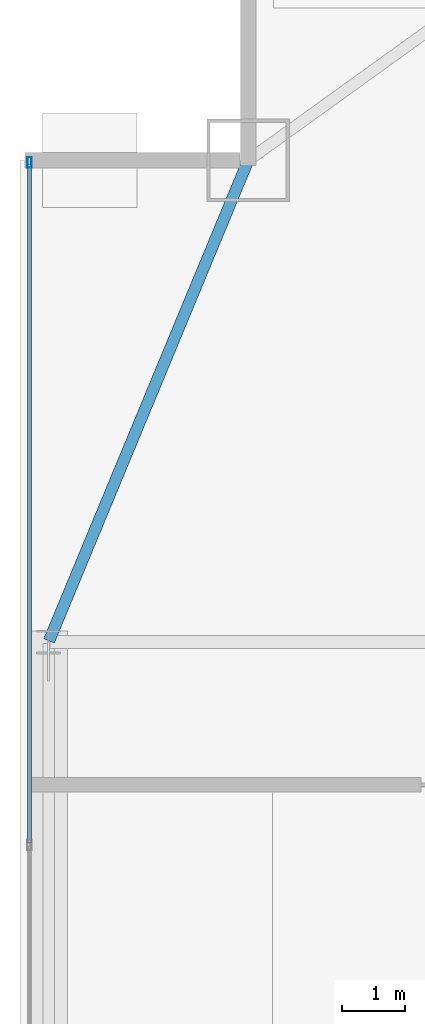
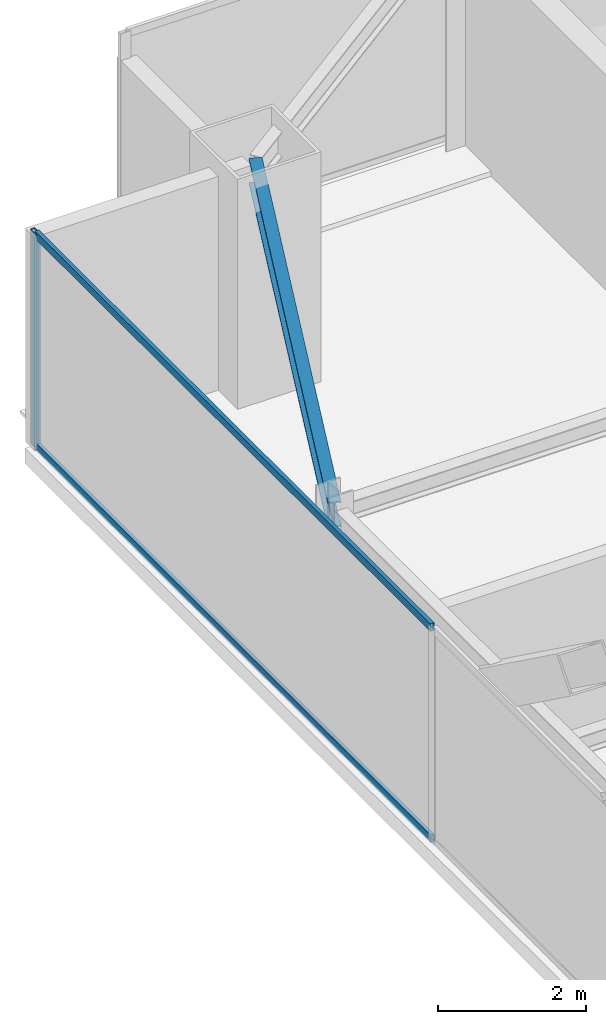
# One storey, part 20 of 33: 3 members, 1 beam, 1 element without a shape of its own.
"""IFC4 building model written with IfcOpenShell, lengths in metres."""

from ifc_helpers import new_model, si_unit, direction, frame, origin, origin_2d, place, context, subcontext, project, spatial, hollow_rectangle, i_section, extrude, source, transform, mapped, material, layer, layer_set, material_profile, profile_set, type_object, type_shapes, element, aggregate, save


model = new_model("IFC4")

# Units and contexts
model_context = context("Model", 3, precision=1e-05, world=origin(), true_north=direction((0.0, 1.0)))
body_context = subcontext(model_context, "Body", "Model", "MODEL_VIEW")
ifc_project = project(units=[si_unit("LENGTHUNIT", "METRE"), si_unit("AREAUNIT", "SQUARE_METRE"), si_unit("VOLUMEUNIT", "CUBIC_METRE"), si_unit("PLANEANGLEUNIT", "RADIAN"), si_unit("MASSUNIT", "GRAM", prefix="KILO")], contexts=[model_context])

# Site, building, storey
site_placement = place(None, origin())
site = spatial("IfcSite", under=ifc_project, at=site_placement, CompositionType="ELEMENT")
building_placement = place(site_placement, origin())
building = spatial("IfcBuilding", under=site, at=building_placement, Name="Varnel Quay Broadcast Tower", CompositionType="ELEMENT")
storey_placement = place(building_placement, frame((0.0, 0.0, 145.800048828125)))
storey = spatial("IfcBuildingStorey", under=building, at=storey_placement, Name="L35", CompositionType="ELEMENT", Elevation=145.800048828125)

# Beam
ifc_material_1 = material(Name="Structural Steel CSA G40.21 350W", Category="steel")
ifc_material_profile_1 = material_profile(ifc_material_1, i_section(OverallWidth=0.180908203125, OverallDepth=0.4169921875, WebThickness=0.010986328125, FlangeThickness=0.018310546875, FilletRadius=0.011962890625, at=origin_2d()), Name="W410X85")
ifc_profile_set_1 = profile_set([ifc_material_profile_1], Name="Structural Steel CSA G40.21 350W")
beam_type = type_object("IfcBeamType", Name="Beam_W410X85", PredefinedType="SPANDREL", material=ifc_profile_set_1)
shared_shape_1 = source(origin(), body_context, "Body", "SweptSolid", [
    extrude(i_section(OverallWidth=0.180908203125, OverallDepth=0.4169921875, WebThickness=0.010986328125, FlangeThickness=0.018310546875, FilletRadius=0.011962890625, at=origin_2d()), origin(), (0.0, 0.0, 1.0), 8.186767578125),
])
type_shapes(beam_type, [shared_shape_1])
beam_placement = place(storey_placement, frame((7.457763671875, 35.618408203125, 3.341552734375), z_axis=(0.382874132092, 0.923800519038, 0.0), x_axis=(-0.923800519038, 0.382874132092, 0.0)))
element("IfcBeam", 1, at=beam_placement, inside=storey, type_object=beam_type, Name="L35 West Spandrel TC-W3-MC-NW", PredefinedType="SPANDREL", context=body_context, shape_type="MappedRepresentation", body=[
    mapped(shared_shape_1, transform((0.0, 0.0, 0.0), x_axis=(1.0, 0.0, 0.0), y_axis=(0.0, 1.0, 0.0), z_axis=(0.0, 0.0, 1.0), scale=1.0)),
])

# Curtain wall, members
ifc_material_2 = material(Name="Anodised Bronze Aluminium 6063-T6", Category="aluminium")
ifc_layer = layer(ifc_material_2, 0.18994140625, Name="Anodised Bronze Aluminium 6063-T6")
ifc_layer_set = layer_set([ifc_layer], Name="Anodised Bronze Aluminium 6063-T6")
curtain_wall_type = type_object("IfcCurtainWallType", Name="CW_UpperTower", PredefinedType="NOTDEFINED", material=ifc_layer_set)
curtain_wall_placement = place(storey_placement, origin())
curtain_wall = element("IfcCurtainWall", 2, at=curtain_wall_placement, inside=storey, type_object=curtain_wall_type, Name="L35 West Unitised Curtain Wall", PredefinedType="NOTDEFINED")
ifc_material_profile_2 = material_profile(ifc_material_2, hollow_rectangle(XDim=0.06494140625, YDim=0.1650390625, WallThickness=0.00341796875, at=origin_2d()), Name="ALU65X165X3.5")
ifc_profile_set_2 = profile_set([ifc_material_profile_2], Name="Anodised Bronze Aluminium 6063-T6")
member_type_1 = type_object("IfcMemberType", Name="Mull_CWS-03", PredefinedType="MULLION", material=ifc_profile_set_2)
shared_shape_2 = source(origin(), body_context, "Body", "SweptSolid", [
    extrude(hollow_rectangle(XDim=0.06494140625, YDim=0.1650390625, WallThickness=0.00341796875, at=origin_2d()), origin(), (0.0, 0.0, 1.0), 3.550048828125),
])
type_shapes(member_type_1, [shared_shape_2])
member_1_placement = place(storey_placement, frame((7.14990234375, 43.16748046875, 0.0), z_axis=(0.0, 0.0, 1.0), x_axis=(-1.0, 0.0, 0.0)))
member_1 = element("IfcMember", 3, at=member_1_placement, type_object=member_type_1, Name="CWS-03 mullion 4", PredefinedType="MULLION", context=body_context, shape_type="MappedRepresentation", body=[
    mapped(shared_shape_2, transform((0.0, 0.0, 0.0), x_axis=(1.0, 0.0, 0.0), y_axis=(0.0, 1.0, 0.0), z_axis=(0.0, 0.0, 1.0), scale=1.0)),
])
ifc_material_profile_3 = material_profile(ifc_material_2, hollow_rectangle(XDim=0.06005859375, YDim=0.125, WallThickness=0.0029296875, at=origin_2d()), Name="ALU60X125X3")
ifc_profile_set_3 = profile_set([ifc_material_profile_3], Name="Anodised Bronze Aluminium 6063-T6")
member_type_2 = type_object("IfcMemberType", Name="Tran_CWS-03", PredefinedType="USERDEFINED", material=ifc_profile_set_3)
shared_shape_3 = source(origin(), body_context, "Body", "SweptSolid", [
    extrude(hollow_rectangle(XDim=0.06005859375, YDim=0.125, WallThickness=0.0029296875, at=origin_2d()), origin(), (0.0, 0.0, 1.0), 10.702392578125),
])
type_shapes(member_type_2, [shared_shape_3])
member_2_placement = place(storey_placement, frame((7.14990234375, 32.4326171875, 0.030029296875), z_axis=(0.0, 1.0, 0.0), x_axis=(-1.0, 0.0, 0.0)))
member_2 = element("IfcMember", 4, at=member_2_placement, type_object=member_type_2, Name="CWS-03 transom 3.1", ObjectType="TRANSOM", PredefinedType="USERDEFINED", context=body_context, shape_type="MappedRepresentation", body=[
    mapped(shared_shape_3, transform((0.0, 0.0, 0.0), x_axis=(1.0, 0.0, 0.0), y_axis=(0.0, 1.0, 0.0), z_axis=(0.0, 0.0, 1.0), scale=1.0)),
])
member_3_placement = place(storey_placement, frame((7.14990234375, 32.4326171875, 3.52001953125), z_axis=(0.0, 1.0, 0.0), x_axis=(-1.0, 0.0, 0.0)))
member_3 = element("IfcMember", 5, at=member_3_placement, type_object=member_type_2, Name="CWS-03 transom 3.2", ObjectType="TRANSOM", PredefinedType="USERDEFINED", context=body_context, shape_type="MappedRepresentation", body=[
    mapped(shared_shape_3, transform((0.0, 0.0, 0.0), x_axis=(1.0, 0.0, 0.0), y_axis=(0.0, 1.0, 0.0), z_axis=(0.0, 0.0, 1.0), scale=1.0)),
])
aggregate(curtain_wall, [member_1, member_2, member_3])

save(model, "model.ifc")
